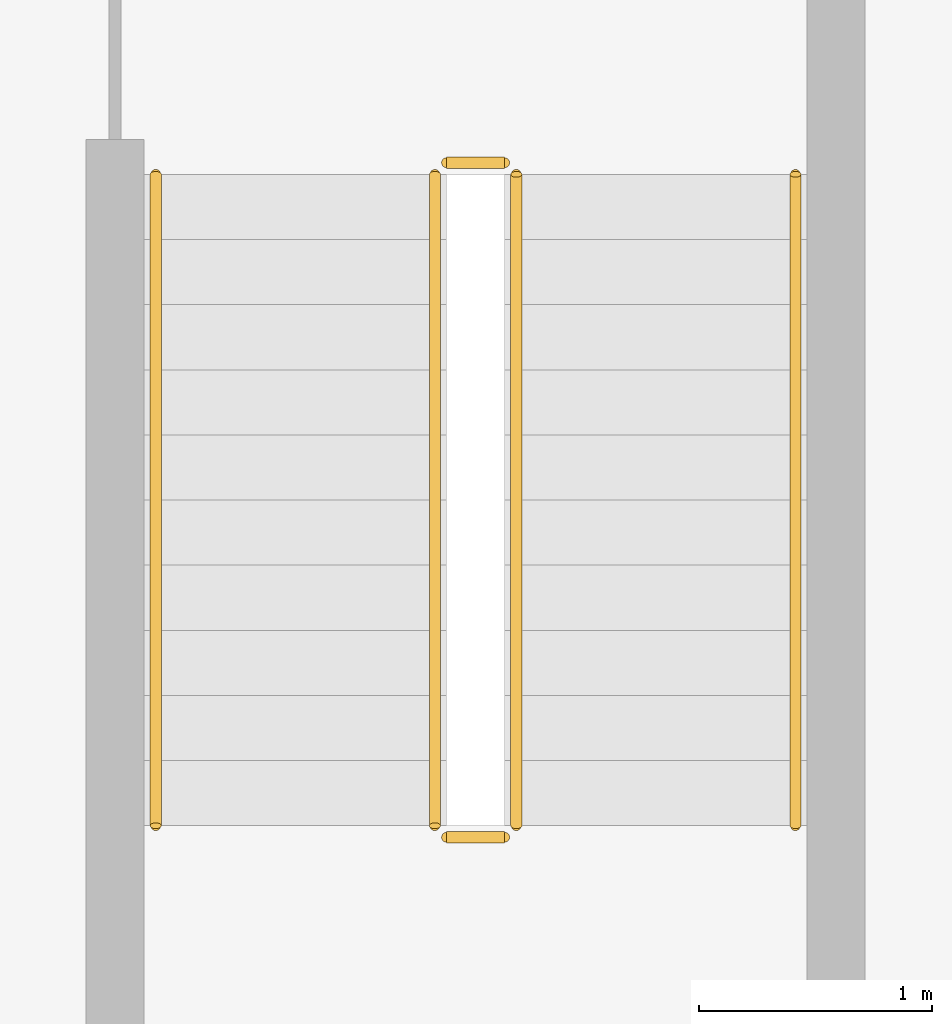
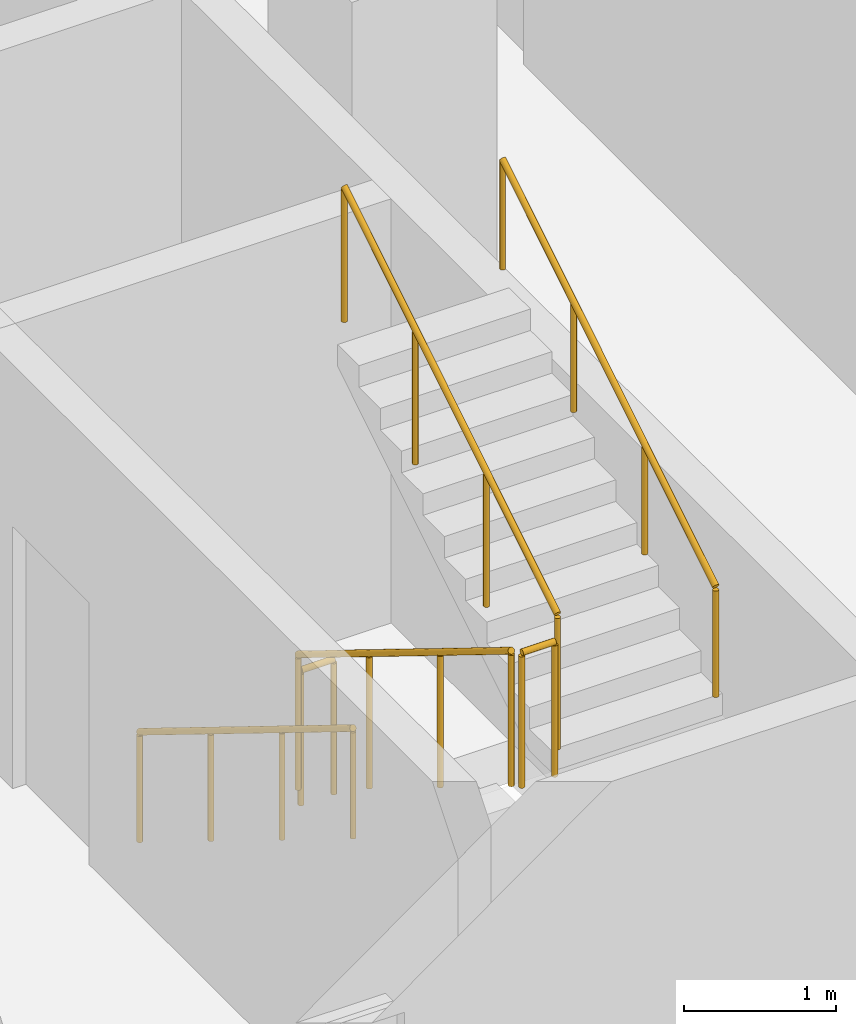
# One storey, part 26 of 30: 6 railings.
"""IFC4 building model written with IfcOpenShell, lengths in metres."""

from ifc_helpers import new_model, si_unit, direction, frame, origin, origin_2d, place, context, subcontext, project, spatial, circle, extrude, material, type_object, element, save


model = new_model("IFC4")

# Units and contexts
model_context = context("Model", 3, precision=1e-05, world=origin(), true_north=direction((0.0, 1.0)))
body_context = subcontext(model_context, "Body", "Model", "MODEL_VIEW")
ifc_project = project(units=[si_unit("LENGTHUNIT", "METRE"), si_unit("AREAUNIT", "SQUARE_METRE"), si_unit("VOLUMEUNIT", "CUBIC_METRE"), si_unit("PLANEANGLEUNIT", "RADIAN"), si_unit("MASSUNIT", "GRAM", prefix="KILO")], contexts=[model_context])

# Site, building, storey
site_placement = place(None, origin())
site = spatial("IfcSite", under=ifc_project, at=site_placement, CompositionType="ELEMENT")
building_placement = place(site_placement, origin())
building = spatial("IfcBuilding", under=site, at=building_placement, Name="Mahtab Terrace Research Tower", CompositionType="ELEMENT")
storey_placement = place(building_placement, frame((0.0, 0.0, 220.5)))
storey = spatial("IfcBuildingStorey", under=building, at=storey_placement, Name="L53", CompositionType="ELEMENT", Elevation=220.5)

# Railings
ifc_material = material(Name="Stainless steel AISI 304", Category="steel")
railing_type_1 = type_object("IfcRailingType", Name="Stair guard 1100", PredefinedType="GUARDRAIL", material=ifc_material)
railing_1_placement = place(storey_placement, frame((2.949951171875, -4.175048828125, 0.172607421875)))
element("IfcRailing", 1, at=railing_1_placement, inside=storey, type_object=railing_type_1, Name="L53 ST2 stair guard 1", PredefinedType="GUARDRAIL", context=body_context, shape_type="SweptSolid", body=[
    extrude(circle(Radius=0.02392578125, at=origin_2d()), frame((0.0, 0.0, 1.076171875), z_axis=(0.0, -0.851089632645, 0.525020415988), x_axis=(1.0, 0.0, 0.0)), (0.0, 0.0, 1.0), 3.2900390625),
    extrude(circle(Radius=0.02099609375, at=origin_2d()), origin(), (0.0, 0.0, 1.0), 1.052001953125),
    extrude(circle(Radius=0.02099609375, at=origin_2d()), frame((0.0, -0.933349609375, 0.57568359375)), (0.0, 0.0, 1.0), 1.052001953125),
    extrude(circle(Radius=0.02099609375, at=origin_2d()), frame((0.0, -1.86669921875, 1.151611328125)), (0.0, 0.0, 1.0), 1.052001953125),
    extrude(circle(Radius=0.02099609375, at=origin_2d()), frame((0.0, -2.800048828125, 1.727294921875)), (0.0, 0.0, 1.0), 1.052001953125),
])
railing_2_placement = place(storey_placement, frame((3.0, -7.02490234375, 1.89990234375)))
element("IfcRailing", 2, at=railing_2_placement, inside=storey, type_object=railing_type_1, Name="L53 ST2 stair guard 2", PredefinedType="GUARDRAIL", context=body_context, shape_type="SweptSolid", body=[
    extrude(circle(Radius=0.02392578125, at=origin_2d()), frame((0.0, 0.0, 1.076171875), z_axis=(1.0, 0.0, 0.0), x_axis=(0.0, 1.0, 0.0)), (0.0, 0.0, 1.0), 0.25),
    extrude(circle(Radius=0.02099609375, at=origin_2d()), origin(), (0.0, 0.0, 1.0), 1.052001953125),
    extrude(circle(Radius=0.02099609375, at=origin_2d()), frame((0.25, 0.0, 0.0)), (0.0, 0.0, 1.0), 1.052001953125),
])
railing_3_placement = place(storey_placement, frame((3.300048828125, -6.97509765625, 2.07275390625)))
element("IfcRailing", 3, at=railing_3_placement, inside=storey, type_object=railing_type_1, Name="L53 ST2 stair guard 3", PredefinedType="GUARDRAIL", context=body_context, shape_type="SweptSolid", body=[
    extrude(circle(Radius=0.02392578125, at=origin_2d()), frame((0.0, 0.0, 1.076171875), z_axis=(0.0, 0.851089632645, 0.525020415988), x_axis=(-1.0, 0.0, 0.0)), (0.0, 0.0, 1.0), 3.2900390625),
    extrude(circle(Radius=0.02099609375, at=origin_2d()), origin(), (0.0, 0.0, 1.0), 1.052001953125),
    extrude(circle(Radius=0.02099609375, at=origin_2d()), frame((0.0, 0.933349609375, 0.57568359375)), (0.0, 0.0, 1.0), 1.052001953125),
    extrude(circle(Radius=0.02099609375, at=origin_2d()), frame((0.0, 1.86669921875, 1.151611328125)), (0.0, 0.0, 1.0), 1.052001953125),
    extrude(circle(Radius=0.02099609375, at=origin_2d()), frame((0.0, 2.800048828125, 1.727294921875)), (0.0, 0.0, 1.0), 1.052001953125),
])
railing_4_placement = place(storey_placement, frame((3.0, -4.125, 0.0)))
element("IfcRailing", 4, at=railing_4_placement, inside=storey, type_object=railing_type_1, Name="L53 ST2 stair guard 4", PredefinedType="GUARDRAIL", context=body_context, shape_type="SweptSolid", body=[
    extrude(circle(Radius=0.02392578125, at=origin_2d()), frame((0.0, 0.0, 1.076171875), z_axis=(1.0, 0.0, 0.0), x_axis=(0.0, 1.0, 0.0)), (0.0, 0.0, 1.0), 0.25),
    extrude(circle(Radius=0.02099609375, at=origin_2d()), origin(), (0.0, 0.0, 1.0), 1.052001953125),
    extrude(circle(Radius=0.02099609375, at=origin_2d()), frame((0.25, 0.0, 0.0)), (0.0, 0.0, 1.0), 1.052001953125),
])
railing_type_2 = type_object("IfcRailingType", Name="Stair handrail 900", PredefinedType="HANDRAIL", material=ifc_material)
railing_5_placement = place(storey_placement, frame((1.75, -4.175048828125, 0.172607421875)))
element("IfcRailing", 5, at=railing_5_placement, inside=storey, type_object=railing_type_2, Name="L53 ST2 stair handrail 1", PredefinedType="HANDRAIL", context=body_context, shape_type="SweptSolid", body=[
    extrude(circle(Radius=0.02392578125, at=origin_2d()), frame((0.0, 0.0, 0.8759765625), z_axis=(0.0, -0.851089632645, 0.525020415988), x_axis=(1.0, 0.0, 0.0)), (0.0, 0.0, 1.0), 3.2900390625),
    extrude(circle(Radius=0.02099609375, at=origin_2d()), origin(), (0.0, 0.0, 1.0), 0.851806640625),
    extrude(circle(Radius=0.02099609375, at=origin_2d()), frame((0.0, -0.933349609375, 0.57568359375)), (0.0, 0.0, 1.0), 0.851806640625),
    extrude(circle(Radius=0.02099609375, at=origin_2d()), frame((0.0, -1.86669921875, 1.151611328125)), (0.0, 0.0, 1.0), 0.851806640625),
    extrude(circle(Radius=0.02099609375, at=origin_2d()), frame((0.0, -2.800048828125, 1.727294921875)), (0.0, 0.0, 1.0), 0.851806640625),
])
railing_6_placement = place(storey_placement, frame((4.5, -6.97509765625, 2.07275390625)))
element("IfcRailing", 6, at=railing_6_placement, inside=storey, type_object=railing_type_2, Name="L53 ST2 stair handrail 2", PredefinedType="HANDRAIL", context=body_context, shape_type="SweptSolid", body=[
    extrude(circle(Radius=0.02392578125, at=origin_2d()), frame((0.0, 0.0, 0.8759765625), z_axis=(0.0, 0.851089632645, 0.525020415988), x_axis=(-1.0, 0.0, 0.0)), (0.0, 0.0, 1.0), 3.2900390625),
    extrude(circle(Radius=0.02099609375, at=origin_2d()), origin(), (0.0, 0.0, 1.0), 0.851806640625),
    extrude(circle(Radius=0.02099609375, at=origin_2d()), frame((0.0, 0.933349609375, 0.57568359375)), (0.0, 0.0, 1.0), 0.851806640625),
    extrude(circle(Radius=0.02099609375, at=origin_2d()), frame((0.0, 1.86669921875, 1.151611328125)), (0.0, 0.0, 1.0), 0.851806640625),
    extrude(circle(Radius=0.02099609375, at=origin_2d()), frame((0.0, 2.800048828125, 1.727294921875)), (0.0, 0.0, 1.0), 0.851806640625),
])

save(model, "model.ifc")
